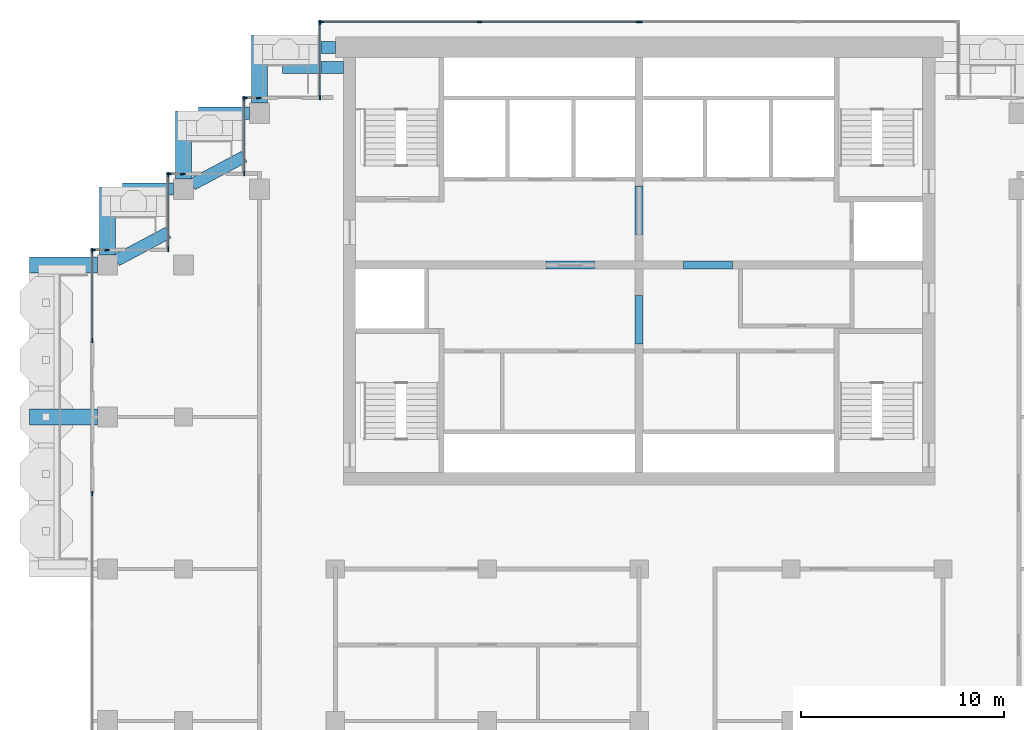
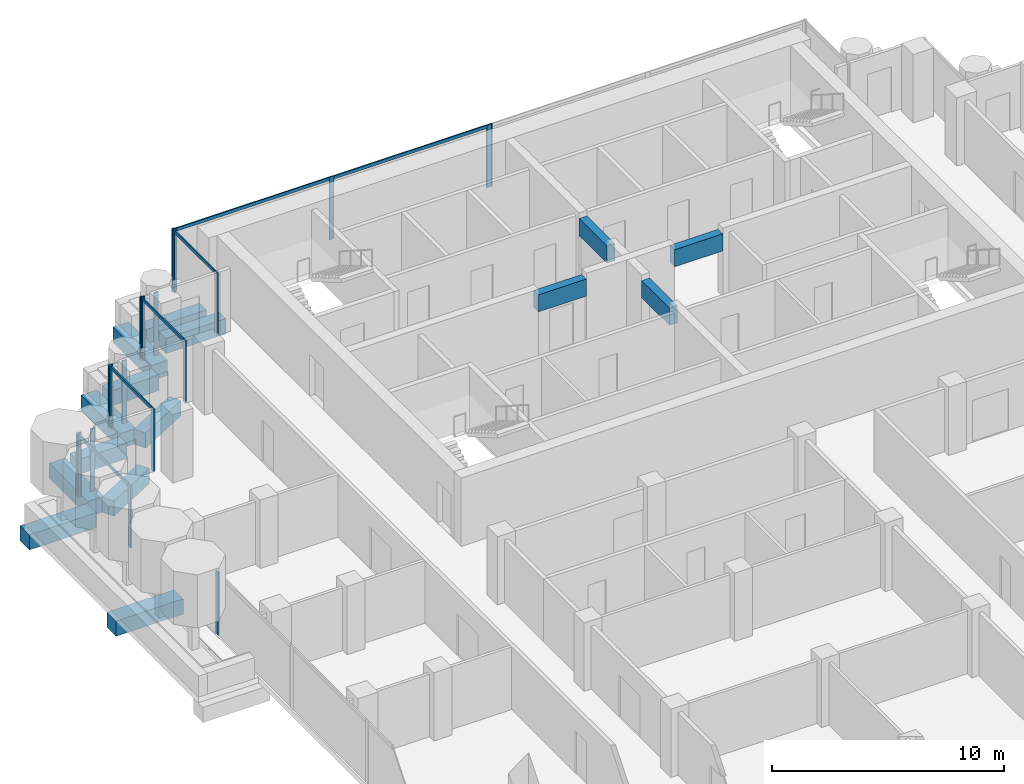
# One storey, part 5 of 18: 25 members, 15 beams, 10 elements without a shape of their own.
"""IFC4 building model written with IfcOpenShell, lengths in metres."""

from ifc_helpers import new_model, si_unit, direction, frame, origin, origin_2d, place, context, subcontext, project, spatial, rectangle, extrude, material, material_profile, profile_set, type_object, element, aggregate, save


model = new_model("IFC4")

# Units and contexts
model_context = context("Model", 3, precision=1e-05, world=origin(), true_north=direction((0.0, 1.0)))
body_context = subcontext(model_context, "Body", "Model", "MODEL_VIEW")
ifc_project = project(units=[si_unit("LENGTHUNIT", "METRE"), si_unit("AREAUNIT", "SQUARE_METRE"), si_unit("VOLUMEUNIT", "CUBIC_METRE"), si_unit("PLANEANGLEUNIT", "RADIAN"), si_unit("MASSUNIT", "GRAM", prefix="KILO")], contexts=[model_context])

# Site, building, storey
site_placement = place(None, origin())
site = spatial("IfcSite", under=ifc_project, at=site_placement, CompositionType="ELEMENT")
building_placement = place(site_placement, origin())
building = spatial("IfcBuilding", under=site, at=building_placement, Name="Pilkhan Gate Tower", CompositionType="ELEMENT")
storey_placement = place(building_placement, frame((0.0, 0.0, 192.300048828125)))
storey = spatial("IfcBuildingStorey", under=building, at=storey_placement, Name="L49", CompositionType="ELEMENT", Elevation=192.300048828125)

# Beams
ifc_material_1 = material(Name="Concrete C50/60", Category="concrete")
ifc_material_profile_1 = material_profile(ifc_material_1, rectangle(XDim=0.60009765625, YDim=0.800048828125, at=origin_2d()), Name="RC 600x800")
ifc_profile_set_1 = profile_set([ifc_material_profile_1], Name="Concrete C50/60")
beam_type_1 = type_object("IfcBeamType", Name="Cantilever beam CB1 RC 600x800 C50/60", PredefinedType="BEAM", material=ifc_profile_set_1)
for number, where, z_axis, x_axis, name in (
    (1, (60.0, 93.25, -0.699951171875), (-1.0, 0.0, 0.0), (0.0, -1.0, 0.0), "Balcony beam NW.2 L49"),
    (2, (60.39990234375, 92.25, -0.699951171875), (-1.0, 0.0, 0.0), (0.0, -1.0, 0.0), "Balcony beam NW.3 L49"),
):
    element("IfcBeam", number, at=place(storey_placement, frame(where, z_axis=z_axis, x_axis=x_axis)), inside=storey, type_object=beam_type_1, Name=name, PredefinedType="BEAM", context=body_context, shape_type="SweptSolid", body=[
        extrude(rectangle(XDim=0.60009765625, YDim=0.800048828125, at=origin_2d()), origin(), (0.0, 0.0, 1.0), 3.0),
    ])
beam_1_placement = place(storey_placement, frame((55.75, 90.0, -0.699951171875), z_axis=(-1.0, 0.0, 0.0), x_axis=(0.0, -1.0, 0.0)))
element("IfcBeam", 3, at=beam_1_placement, inside=storey, type_object=beam_type_1, Name="Balcony beam NW1.2 L49", PredefinedType="BEAM", context=body_context, shape_type="SweptSolid", body=[
    extrude(rectangle(XDim=0.60009765625, YDim=0.800048828125, at=origin_2d()), origin(), (0.0, 0.0, 1.0), 2.5),
])
beam_2_placement = place(storey_placement, frame((52.941162109375, 86.4853515625, -0.699951171875), z_axis=(0.882348280344, 0.470596974251, 0.0), x_axis=(-0.470596974251, 0.882348280344, 0.0)))
element("IfcBeam", 4, at=beam_2_placement, inside=storey, type_object=beam_type_1, Name="Balcony beam NW1.3 L49", PredefinedType="BEAM", context=body_context, shape_type="SweptSolid", body=[
    extrude(rectangle(XDim=0.60009765625, YDim=0.800048828125, at=origin_2d()), origin(), (0.0, 0.0, 1.0), 2.900146484375),
])
beam_3_placement = place(storey_placement, frame((52.0, 86.25, -0.699951171875), z_axis=(-1.0, 0.0, 0.0), x_axis=(0.0, -1.0, 0.0)))
element("IfcBeam", 5, at=beam_3_placement, inside=storey, type_object=beam_type_1, Name="Balcony beam NW2.2 L49", PredefinedType="BEAM", context=body_context, shape_type="SweptSolid", body=[
    extrude(rectangle(XDim=0.60009765625, YDim=0.800048828125, at=origin_2d()), origin(), (0.0, 0.0, 1.0), 2.5),
])
beam_4_placement = place(storey_placement, frame((49.191162109375, 82.7353515625, -0.699951171875), z_axis=(0.882348280344, 0.470596974251, 0.0), x_axis=(-0.470596974251, 0.882348280344, 0.0)))
element("IfcBeam", 6, at=beam_4_placement, inside=storey, type_object=beam_type_1, Name="Balcony beam NW2.3 L49", PredefinedType="BEAM", context=body_context, shape_type="SweptSolid", body=[
    extrude(rectangle(XDim=0.60009765625, YDim=0.800048828125, at=origin_2d()), origin(), (0.0, 0.0, 1.0), 2.900146484375),
])
ifc_material_profile_2 = material_profile(ifc_material_1, rectangle(XDim=0.800048828125, YDim=0.800048828125, at=origin_2d()), Name="RC 800x800")
ifc_profile_set_2 = profile_set([ifc_material_profile_2], Name="Concrete C50/60")
beam_type_2 = type_object("IfcBeamType", Name="Cantilever beam CB2 RC 800x800 C50/60", PredefinedType="BEAM", material=ifc_profile_set_2)
for number, where, z_axis, x_axis, name in (
    (7, (56.25, 90.5, -0.699951171875), (0.0, 1.0, 0.0), (-1.0, 0.0, 0.0), "Balcony beam NW.1 L49"),
    (8, (52.5, 86.75, -0.699951171875), (0.0, 1.0, 0.0), (-1.0, 0.0, 0.0), "Balcony beam NW1.1 L49"),
    (9, (48.75, 83.0, -0.699951171875), (0.0, 1.0, 0.0), (-1.0, 0.0, 0.0), "Balcony beam NW2.1 L49"),
    (10, (48.25, 75.0, -0.699951171875), (-1.0, 0.0, 0.0), (0.0, -1.0, 0.0), "Balcony beam W.2 L49"),
    (11, (48.25, 82.5, -0.699951171875), (-1.0, 0.0, 0.0), (0.0, -1.0, 0.0), "Balcony beam W.3 L49"),
):
    element("IfcBeam", number, at=place(storey_placement, frame(where, z_axis=z_axis, x_axis=x_axis)), inside=storey, type_object=beam_type_2, Name=name, PredefinedType="BEAM", context=body_context, shape_type="SweptSolid", body=[
        extrude(rectangle(XDim=0.800048828125, YDim=0.800048828125, at=origin_2d()), origin(), (0.0, 0.0, 1.0), 3.35009765625),
    ])
ifc_material_profile_3 = material_profile(ifc_material_1, rectangle(XDim=0.39990234375, YDim=0.89990234375, at=origin_2d()), Name="RC 400x900")
ifc_profile_set_3 = profile_set([ifc_material_profile_3], Name="Concrete C50/60")
beam_type_3 = type_object("IfcBeamType", Name="Coupling beam CB90-4 RC 400x900 C50/60", PredefinedType="LINTEL", material=ifc_profile_set_3)
for number, where, z_axis, x_axis, name in (
    (12, (70.39990234375, 82.5, 2.849853515625), (1.0, 0.0, 0.0), (0.0, 1.0, 0.0), "Coupling beam 1 L49"),
    (13, (77.199951171875, 82.5, 2.849853515625), (1.0, 0.0, 0.0), (0.0, 1.0, 0.0), "Coupling beam 2 L49"),
):
    element("IfcBeam", number, at=place(storey_placement, frame(where, z_axis=z_axis, x_axis=x_axis)), inside=storey, type_object=beam_type_3, Name=name, PredefinedType="LINTEL", context=body_context, shape_type="SweptSolid", body=[
        extrude(rectangle(XDim=0.39990234375, YDim=0.89990234375, at=origin_2d()), origin(), (0.0, 0.0, 1.0), 2.400146484375),
    ])
for number, where, z_axis, x_axis, name in (
    (14, (75.0, 78.60009765625, 2.849853515625), (0.0, 1.0, 0.0), (-1.0, 0.0, 0.0), "Coupling beam 3 L49"),
    (15, (75.0, 84.0, 2.849853515625), (0.0, 1.0, 0.0), (-1.0, 0.0, 0.0), "Coupling beam 4 L49"),
):
    element("IfcBeam", number, at=place(storey_placement, frame(where, z_axis=z_axis, x_axis=x_axis)), inside=storey, type_object=beam_type_3, Name=name, PredefinedType="LINTEL", context=body_context, shape_type="SweptSolid", body=[
        extrude(rectangle(XDim=0.39990234375, YDim=0.89990234375, at=origin_2d()), origin(), (0.0, 0.0, 1.0), 2.39990234375),
    ])

# Curtain wall, members
ifc_material_2 = material(Name="Pale anodised aluminium, clear low-iron double glazing", Category="aluminium")
curtain_wall_type = type_object("IfcCurtainWallType", Name="Office unitised curtain wall CW-O2", PredefinedType="USERDEFINED", material=ifc_material_2)
curtain_wall_1_placement = place(storey_placement, origin())
curtain_wall_1 = element("IfcCurtainWall", 16, at=curtain_wall_1_placement, inside=storey, type_object=curtain_wall_type, Name="Office unitised curtain wall CW-O2 L49 N", ObjectType="UNITISED CURTAIN WALL", PredefinedType="USERDEFINED")
ifc_material_3 = material(Name="Pale anodised aluminium", Category="aluminium")
ifc_material_profile_4 = material_profile(ifc_material_3, rectangle(XDim=0.06494140625, YDim=0.22509765625, at=origin_2d()), Name="Mullion 225x65")
ifc_profile_set_4 = profile_set([ifc_material_profile_4], Name="Pale anodised aluminium")
member_type_1 = type_object("IfcMemberType", Name="Mullion CW-O2 225x65", PredefinedType="MULLION", material=ifc_profile_set_4)
member_1_placement = place(storey_placement, frame((59.282470703125, 94.5, 0.0), z_axis=(0.0, 0.0, 1.0), x_axis=(0.0, 1.0, 0.0)))
member_1 = element("IfcMember", 17, at=member_1_placement, type_object=member_type_1, Name="CW-O2 mullion 1", PredefinedType="MULLION", context=body_context, shape_type="SweptSolid", body=[
    extrude(rectangle(XDim=0.06494140625, YDim=0.22509765625, at=origin_2d()), origin(), (0.0, 0.0, 1.0), 3.300048828125),
])
member_2_placement = place(storey_placement, frame((67.125, 94.5, 0.0), z_axis=(0.0, 0.0, 1.0), x_axis=(0.0, 1.0, 0.0)))
member_2 = element("IfcMember", 18, at=member_2_placement, type_object=member_type_1, Name="CW-O2 mullion 2", PredefinedType="MULLION", context=body_context, shape_type="SweptSolid", body=[
    extrude(rectangle(XDim=0.06494140625, YDim=0.22509765625, at=origin_2d()), origin(), (0.0, 0.0, 1.0), 3.300048828125),
])
member_3_placement = place(storey_placement, frame((74.967529296875, 94.5, 0.0), z_axis=(0.0, 0.0, 1.0), x_axis=(0.0, 1.0, 0.0)))
member_3 = element("IfcMember", 19, at=member_3_placement, type_object=member_type_1, Name="CW-O2 mullion 3", PredefinedType="MULLION", context=body_context, shape_type="SweptSolid", body=[
    extrude(rectangle(XDim=0.06494140625, YDim=0.22509765625, at=origin_2d()), origin(), (0.0, 0.0, 1.0), 3.300048828125),
])

# Curtain wall, member
curtain_wall_2_placement = place(storey_placement, origin())
curtain_wall_2 = element("IfcCurtainWall", 20, at=curtain_wall_2_placement, inside=storey, type_object=curtain_wall_type, Name="Office unitised curtain wall CW-O2 L49 N", ObjectType="UNITISED CURTAIN WALL", PredefinedType="USERDEFINED")
member_4_placement = place(storey_placement, frame((75.032470703125, 94.5, 0.0), z_axis=(0.0, 0.0, 1.0), x_axis=(0.0, 1.0, 0.0)))
member_4 = element("IfcMember", 21, at=member_4_placement, type_object=member_type_1, Name="CW-O2 mullion 1", PredefinedType="MULLION", context=body_context, shape_type="SweptSolid", body=[
    extrude(rectangle(XDim=0.06494140625, YDim=0.22509765625, at=origin_2d()), origin(), (0.0, 0.0, 1.0), 3.300048828125),
])
aggregate(curtain_wall_2, [member_4])

# Curtain wall, members
curtain_wall_3_placement = place(storey_placement, origin())
curtain_wall_3 = element("IfcCurtainWall", 22, at=curtain_wall_3_placement, inside=storey, type_object=curtain_wall_type, Name="Office unitised curtain wall CW-O2 L49 W", ObjectType="UNITISED CURTAIN WALL", PredefinedType="USERDEFINED")
member_5_placement = place(storey_placement, frame((59.25, 90.782470703125, 0.0), z_axis=(0.0, 0.0, 1.0), x_axis=(-1.0, 0.0, 0.0)))
member_5 = element("IfcMember", 23, at=member_5_placement, type_object=member_type_1, Name="CW-O2 mullion 1", PredefinedType="MULLION", context=body_context, shape_type="SweptSolid", body=[
    extrude(rectangle(XDim=0.06494140625, YDim=0.22509765625, at=origin_2d()), origin(), (0.0, 0.0, 1.0), 3.300048828125),
])
member_6_placement = place(storey_placement, frame((59.25, 94.467529296875, 0.0), z_axis=(0.0, 0.0, 1.0), x_axis=(-1.0, 0.0, 0.0)))
member_6 = element("IfcMember", 24, at=member_6_placement, type_object=member_type_1, Name="CW-O2 mullion 2", PredefinedType="MULLION", context=body_context, shape_type="SweptSolid", body=[
    extrude(rectangle(XDim=0.06494140625, YDim=0.22509765625, at=origin_2d()), origin(), (0.0, 0.0, 1.0), 3.300048828125),
])

curtain_wall_4_placement = place(storey_placement, origin())
curtain_wall_4 = element("IfcCurtainWall", 25, at=curtain_wall_4_placement, inside=storey, type_object=curtain_wall_type, Name="Office unitised curtain wall CW-O2 L49 N", ObjectType="UNITISED CURTAIN WALL", PredefinedType="USERDEFINED")
member_7_placement = place(storey_placement, frame((55.532470703125, 90.75, 0.0), z_axis=(0.0, 0.0, 1.0), x_axis=(0.0, 1.0, 0.0)))
member_7 = element("IfcMember", 26, at=member_7_placement, type_object=member_type_1, Name="CW-O2 mullion 1", PredefinedType="MULLION", context=body_context, shape_type="SweptSolid", body=[
    extrude(rectangle(XDim=0.06494140625, YDim=0.22509765625, at=origin_2d()), origin(), (0.0, 0.0, 1.0), 3.300048828125),
])
member_8_placement = place(storey_placement, frame((56.217529296875, 90.75, 0.0), z_axis=(0.0, 0.0, 1.0), x_axis=(0.0, 1.0, 0.0)))
member_8 = element("IfcMember", 27, at=member_8_placement, type_object=member_type_1, Name="CW-O2 mullion 2", PredefinedType="MULLION", context=body_context, shape_type="SweptSolid", body=[
    extrude(rectangle(XDim=0.06494140625, YDim=0.22509765625, at=origin_2d()), origin(), (0.0, 0.0, 1.0), 3.300048828125),
])
aggregate(curtain_wall_4, [member_7, member_8])

curtain_wall_5_placement = place(storey_placement, origin())
curtain_wall_5 = element("IfcCurtainWall", 28, at=curtain_wall_5_placement, inside=storey, type_object=curtain_wall_type, Name="Office unitised curtain wall CW-O2 L49 W", ObjectType="UNITISED CURTAIN WALL", PredefinedType="USERDEFINED")
member_9_placement = place(storey_placement, frame((55.5, 87.032470703125, 0.0), z_axis=(0.0, 0.0, 1.0), x_axis=(-1.0, 0.0, 0.0)))
member_9 = element("IfcMember", 29, at=member_9_placement, type_object=member_type_1, Name="CW-O2 mullion 1", PredefinedType="MULLION", context=body_context, shape_type="SweptSolid", body=[
    extrude(rectangle(XDim=0.06494140625, YDim=0.22509765625, at=origin_2d()), origin(), (0.0, 0.0, 1.0), 3.300048828125),
])
member_10_placement = place(storey_placement, frame((55.5, 90.717529296875, 0.0), z_axis=(0.0, 0.0, 1.0), x_axis=(-1.0, 0.0, 0.0)))
member_10 = element("IfcMember", 30, at=member_10_placement, type_object=member_type_1, Name="CW-O2 mullion 2", PredefinedType="MULLION", context=body_context, shape_type="SweptSolid", body=[
    extrude(rectangle(XDim=0.06494140625, YDim=0.22509765625, at=origin_2d()), origin(), (0.0, 0.0, 1.0), 3.300048828125),
])

curtain_wall_6_placement = place(storey_placement, origin())
curtain_wall_6 = element("IfcCurtainWall", 31, at=curtain_wall_6_placement, inside=storey, type_object=curtain_wall_type, Name="Office unitised curtain wall CW-O2 L49 N", ObjectType="UNITISED CURTAIN WALL", PredefinedType="USERDEFINED")
member_11_placement = place(storey_placement, frame((51.782470703125, 87.0, 0.0), z_axis=(0.0, 0.0, 1.0), x_axis=(0.0, 1.0, 0.0)))
member_11 = element("IfcMember", 32, at=member_11_placement, type_object=member_type_1, Name="CW-O2 mullion 1", PredefinedType="MULLION", context=body_context, shape_type="SweptSolid", body=[
    extrude(rectangle(XDim=0.06494140625, YDim=0.22509765625, at=origin_2d()), origin(), (0.0, 0.0, 1.0), 3.300048828125),
])
member_12_placement = place(storey_placement, frame((52.467529296875, 87.0, 0.0), z_axis=(0.0, 0.0, 1.0), x_axis=(0.0, 1.0, 0.0)))
member_12 = element("IfcMember", 33, at=member_12_placement, type_object=member_type_1, Name="CW-O2 mullion 2", PredefinedType="MULLION", context=body_context, shape_type="SweptSolid", body=[
    extrude(rectangle(XDim=0.06494140625, YDim=0.22509765625, at=origin_2d()), origin(), (0.0, 0.0, 1.0), 3.300048828125),
])
aggregate(curtain_wall_6, [member_11, member_12])

curtain_wall_7_placement = place(storey_placement, origin())
curtain_wall_7 = element("IfcCurtainWall", 34, at=curtain_wall_7_placement, inside=storey, type_object=curtain_wall_type, Name="Office unitised curtain wall CW-O2 L49 W", ObjectType="UNITISED CURTAIN WALL", PredefinedType="USERDEFINED")
member_13_placement = place(storey_placement, frame((51.75, 83.282470703125, 0.0), z_axis=(0.0, 0.0, 1.0), x_axis=(-1.0, 0.0, 0.0)))
member_13 = element("IfcMember", 35, at=member_13_placement, type_object=member_type_1, Name="CW-O2 mullion 1", PredefinedType="MULLION", context=body_context, shape_type="SweptSolid", body=[
    extrude(rectangle(XDim=0.06494140625, YDim=0.22509765625, at=origin_2d()), origin(), (0.0, 0.0, 1.0), 3.300048828125),
])
member_14_placement = place(storey_placement, frame((51.75, 86.967529296875, 0.0), z_axis=(0.0, 0.0, 1.0), x_axis=(-1.0, 0.0, 0.0)))
member_14 = element("IfcMember", 36, at=member_14_placement, type_object=member_type_1, Name="CW-O2 mullion 2", PredefinedType="MULLION", context=body_context, shape_type="SweptSolid", body=[
    extrude(rectangle(XDim=0.06494140625, YDim=0.22509765625, at=origin_2d()), origin(), (0.0, 0.0, 1.0), 3.300048828125),
])

curtain_wall_8_placement = place(storey_placement, origin())
curtain_wall_8 = element("IfcCurtainWall", 37, at=curtain_wall_8_placement, inside=storey, type_object=curtain_wall_type, Name="Office unitised curtain wall CW-O2 L49 N", ObjectType="UNITISED CURTAIN WALL", PredefinedType="USERDEFINED")
member_15_placement = place(storey_placement, frame((48.032470703125, 83.25, 0.0), z_axis=(0.0, 0.0, 1.0), x_axis=(0.0, 1.0, 0.0)))
member_15 = element("IfcMember", 38, at=member_15_placement, type_object=member_type_1, Name="CW-O2 mullion 1", PredefinedType="MULLION", context=body_context, shape_type="SweptSolid", body=[
    extrude(rectangle(XDim=0.06494140625, YDim=0.22509765625, at=origin_2d()), origin(), (0.0, 0.0, 1.0), 3.300048828125),
])
member_16_placement = place(storey_placement, frame((48.717529296875, 83.25, 0.0), z_axis=(0.0, 0.0, 1.0), x_axis=(0.0, 1.0, 0.0)))
member_16 = element("IfcMember", 39, at=member_16_placement, type_object=member_type_1, Name="CW-O2 mullion 2", PredefinedType="MULLION", context=body_context, shape_type="SweptSolid", body=[
    extrude(rectangle(XDim=0.06494140625, YDim=0.22509765625, at=origin_2d()), origin(), (0.0, 0.0, 1.0), 3.300048828125),
])
aggregate(curtain_wall_8, [member_15, member_16])

# Curtain wall, member
curtain_wall_9_placement = place(storey_placement, origin())
curtain_wall_9 = element("IfcCurtainWall", 40, at=curtain_wall_9_placement, inside=storey, type_object=curtain_wall_type, Name="Office unitised curtain wall CW-O2 L49 W", ObjectType="UNITISED CURTAIN WALL", PredefinedType="USERDEFINED")
member_17_placement = place(storey_placement, frame((48.0, 71.217529296875, 0.0), z_axis=(0.0, 0.0, 1.0), x_axis=(-1.0, 0.0, 0.0)))
member_17 = element("IfcMember", 41, at=member_17_placement, type_object=member_type_1, Name="CW-O2 mullion 2", PredefinedType="MULLION", context=body_context, shape_type="SweptSolid", body=[
    extrude(rectangle(XDim=0.06494140625, YDim=0.22509765625, at=origin_2d()), origin(), (0.0, 0.0, 1.0), 3.300048828125),
])
aggregate(curtain_wall_9, [member_17])

# Curtain wall, members
curtain_wall_10_placement = place(storey_placement, origin())
curtain_wall_10 = element("IfcCurtainWall", 42, at=curtain_wall_10_placement, inside=storey, type_object=curtain_wall_type, Name="Office unitised curtain wall CW-O2 L49 W", ObjectType="UNITISED CURTAIN WALL", PredefinedType="USERDEFINED")
member_18_placement = place(storey_placement, frame((48.0, 78.782470703125, 0.0), z_axis=(0.0, 0.0, 1.0), x_axis=(-1.0, 0.0, 0.0)))
member_18 = element("IfcMember", 43, at=member_18_placement, type_object=member_type_1, Name="CW-O2 mullion 1", PredefinedType="MULLION", context=body_context, shape_type="SweptSolid", body=[
    extrude(rectangle(XDim=0.06494140625, YDim=0.22509765625, at=origin_2d()), origin(), (0.0, 0.0, 1.0), 3.300048828125),
])
member_19_placement = place(storey_placement, frame((48.0, 83.217529296875, 0.0), z_axis=(0.0, 0.0, 1.0), x_axis=(-1.0, 0.0, 0.0)))
member_19 = element("IfcMember", 44, at=member_19_placement, type_object=member_type_1, Name="CW-O2 mullion 2", PredefinedType="MULLION", context=body_context, shape_type="SweptSolid", body=[
    extrude(rectangle(XDim=0.06494140625, YDim=0.22509765625, at=origin_2d()), origin(), (0.0, 0.0, 1.0), 3.300048828125),
])

# Member
ifc_material_profile_5 = material_profile(ifc_material_3, rectangle(XDim=0.06494140625, YDim=0.1650390625, at=origin_2d()), Name="Transom 165x65")
ifc_profile_set_5 = profile_set([ifc_material_profile_5], Name="Pale anodised aluminium")
member_type_2 = type_object("IfcMemberType", Name="Transom CW-O2 165x65", PredefinedType="USERDEFINED", material=ifc_profile_set_5)
member_20_placement = place(storey_placement, frame((59.31494140625, 94.5, 3.217529296875), z_axis=(1.0, 0.0, 0.0), x_axis=(0.0, 1.0, 0.0)))
member_20 = element("IfcMember", 45, at=member_20_placement, type_object=member_type_2, Name="CW-O2 transom 1", ObjectType="TRANSOM", PredefinedType="USERDEFINED", context=body_context, shape_type="SweptSolid", body=[
    extrude(rectangle(XDim=0.06494140625, YDim=0.1650390625, at=origin_2d()), origin(), (0.0, 0.0, 1.0), 7.777587890625),
])

member_21_placement = place(storey_placement, frame((67.157470703125, 94.5, 3.217529296875), z_axis=(1.0, 0.0, 0.0), x_axis=(0.0, 1.0, 0.0)))
member_21 = element("IfcMember", 46, at=member_21_placement, type_object=member_type_2, Name="CW-O2 transom 2", ObjectType="TRANSOM", PredefinedType="USERDEFINED", context=body_context, shape_type="SweptSolid", body=[
    extrude(rectangle(XDim=0.06494140625, YDim=0.1650390625, at=origin_2d()), origin(), (0.0, 0.0, 1.0), 7.777587890625),
])

aggregate(curtain_wall_1, [member_1, member_2, member_3, member_20, member_21])

member_22_placement = place(storey_placement, frame((59.25, 90.81494140625, 3.217529296875), z_axis=(0.0, 1.0, 0.0), x_axis=(-1.0, 0.0, 0.0)))
member_22 = element("IfcMember", 47, at=member_22_placement, type_object=member_type_2, Name="CW-O2 transom 1", ObjectType="TRANSOM", PredefinedType="USERDEFINED", context=body_context, shape_type="SweptSolid", body=[
    extrude(rectangle(XDim=0.06494140625, YDim=0.1650390625, at=origin_2d()), origin(), (0.0, 0.0, 1.0), 3.6201171875),
])

aggregate(curtain_wall_3, [member_5, member_6, member_22])

member_23_placement = place(storey_placement, frame((55.5, 87.06494140625, 3.217529296875), z_axis=(0.0, 1.0, 0.0), x_axis=(-1.0, 0.0, 0.0)))
member_23 = element("IfcMember", 48, at=member_23_placement, type_object=member_type_2, Name="CW-O2 transom 1", ObjectType="TRANSOM", PredefinedType="USERDEFINED", context=body_context, shape_type="SweptSolid", body=[
    extrude(rectangle(XDim=0.06494140625, YDim=0.1650390625, at=origin_2d()), origin(), (0.0, 0.0, 1.0), 3.6201171875),
])

aggregate(curtain_wall_5, [member_9, member_10, member_23])

member_24_placement = place(storey_placement, frame((51.75, 83.31494140625, 3.217529296875), z_axis=(0.0, 1.0, 0.0), x_axis=(-1.0, 0.0, 0.0)))
member_24 = element("IfcMember", 49, at=member_24_placement, type_object=member_type_2, Name="CW-O2 transom 1", ObjectType="TRANSOM", PredefinedType="USERDEFINED", context=body_context, shape_type="SweptSolid", body=[
    extrude(rectangle(XDim=0.06494140625, YDim=0.1650390625, at=origin_2d()), origin(), (0.0, 0.0, 1.0), 3.6201171875),
])

aggregate(curtain_wall_7, [member_13, member_14, member_24])

member_25_placement = place(storey_placement, frame((48.0, 78.81494140625, 3.217529296875), z_axis=(0.0, 1.0, 0.0), x_axis=(-1.0, 0.0, 0.0)))
member_25 = element("IfcMember", 50, at=member_25_placement, type_object=member_type_2, Name="CW-O2 transom 1", ObjectType="TRANSOM", PredefinedType="USERDEFINED", context=body_context, shape_type="SweptSolid", body=[
    extrude(rectangle(XDim=0.06494140625, YDim=0.1650390625, at=origin_2d()), origin(), (0.0, 0.0, 1.0), 4.3701171875),
])

aggregate(curtain_wall_10, [member_18, member_19, member_25])

save(model, "model.ifc")
